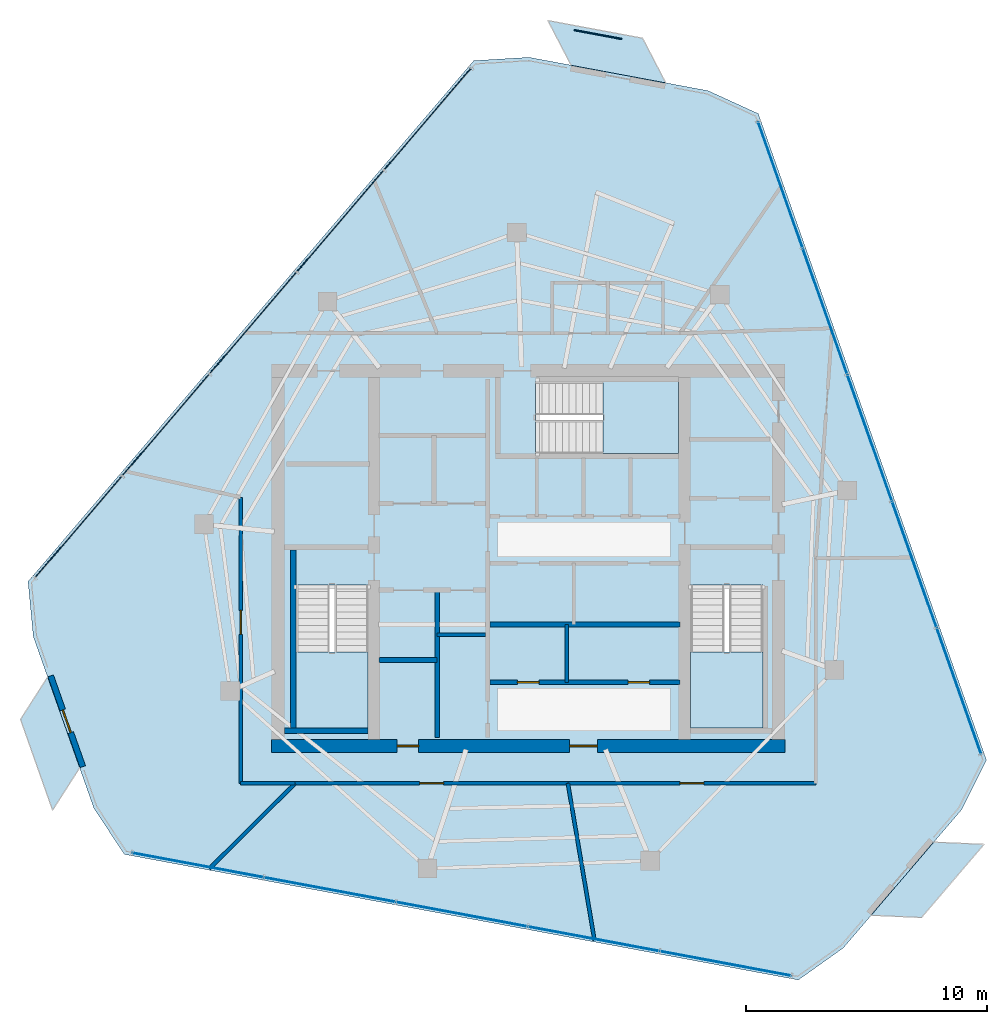
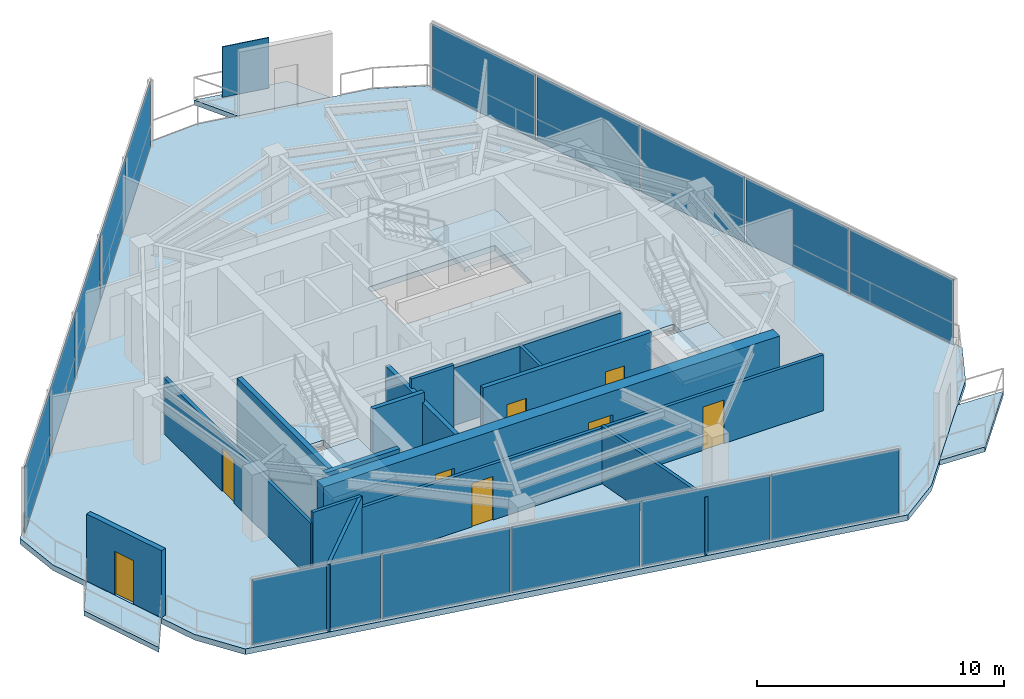
# One storey, part 14 of 18: 16 plates, 16 walls, 8 doors, 7 slabs, 8 openings, 6 elements without a shape of their own.
"""IFC4 building model written with IfcOpenShell, lengths in metres."""

from ifc_helpers import new_model, si_unit, direction, frame, frame_2d, origin, origin_2d, place, context, subcontext, project, spatial, polyline, rectangle, outline, extrude, material, layer, layer_set, type_object, element, fill, aggregate, save


model = new_model("IFC4")

# Units and contexts
model_context = context("Model", 3, precision=1e-05, world=origin(), true_north=direction((0.0, 1.0)))
body_context = subcontext(model_context, "Body", "Model", "MODEL_VIEW")
ifc_project = project(units=[si_unit("LENGTHUNIT", "METRE"), si_unit("AREAUNIT", "SQUARE_METRE"), si_unit("VOLUMEUNIT", "CUBIC_METRE"), si_unit("PLANEANGLEUNIT", "RADIAN"), si_unit("MASSUNIT", "GRAM", prefix="KILO")], contexts=[model_context])

# Site, building, storey
site_placement = place(None, origin())
site = spatial("IfcSite", under=ifc_project, at=site_placement, CompositionType="ELEMENT")
building_placement = place(site_placement, origin())
building = spatial("IfcBuilding", under=site, at=building_placement, Name="Qarnah Convention Tower", CompositionType="ELEMENT")
storey_placement = place(building_placement, frame((0.0, 0.0, 253.5)))
storey = spatial("IfcBuildingStorey", under=building, at=storey_placement, Name="L68", CompositionType="ELEMENT", Elevation=253.5)

# Curtain wall, plates
ifc_material_1 = material(Name="Tempered Low-E dark glass", Category="glass")
ifc_layer_1 = layer(ifc_material_1, 0.176025390625)
ifc_layer_set_1 = layer_set([ifc_layer_1], Name="Tempered Low-E dark glass")
curtain_wall_type = type_object("IfcCurtainWallType", Name="CWS-05", PredefinedType="NOTDEFINED", material=ifc_layer_set_1)
curtain_wall_1_placement = place(storey_placement, origin())
curtain_wall_1 = element("IfcCurtainWall", 1, at=curtain_wall_1_placement, inside=storey, type_object=curtain_wall_type, Name="L68 unitised curtain wall CW-L68-F1", PredefinedType="NOTDEFINED")
ifc_layer_2 = layer(ifc_material_1, 0.035888671875)
ifc_layer_set_2 = layer_set([ifc_layer_2], Name="Tempered Low-E dark glass")
plate_type_1 = type_object("IfcPlateType", Name="PNL-T5", PredefinedType="CURTAIN_PANEL", material=ifc_layer_set_2)
plate_1_placement = place(storey_placement, frame((18.515380859375, 27.708740234375, 0.0400390625), z_axis=(0.0, 0.0, 1.0), x_axis=(0.650247859177, 0.759722134491, 0.0)))
plate_1 = element("IfcPlate", 2, at=plate_1_placement, type_object=plate_type_1, Name="CW-L68-F1 curtain panel 1.1", PredefinedType="CURTAIN_PANEL", context=body_context, shape_type="SweptSolid", body=[
    extrude(rectangle(XDim=5.49755859375, YDim=0.035888671875, at=origin_2d()), origin(), (0.0, 0.0, 1.0), 3.239990234375),
])
plate_2_placement = place(storey_placement, frame((22.14208984375, 31.946044921875, 0.0400390625), z_axis=(0.0, 0.0, 1.0), x_axis=(0.650247859177, 0.759722134491, 0.0)))
plate_2 = element("IfcPlate", 3, at=plate_2_placement, type_object=plate_type_1, Name="CW-L68-F1 curtain panel 2.1", PredefinedType="CURTAIN_PANEL", context=body_context, shape_type="SweptSolid", body=[
    extrude(rectangle(XDim=5.49755859375, YDim=0.035888671875, at=origin_2d()), origin(), (0.0, 0.0, 1.0), 3.239990234375),
])
plate_3_placement = place(storey_placement, frame((25.76904296875, 36.18359375, 0.0400390625), z_axis=(0.0, 0.0, 1.0), x_axis=(0.650247859177, 0.759722134491, 0.0)))
plate_3 = element("IfcPlate", 4, at=plate_3_placement, type_object=plate_type_1, Name="CW-L68-F1 curtain panel 3.1", PredefinedType="CURTAIN_PANEL", context=body_context, shape_type="SweptSolid", body=[
    extrude(rectangle(XDim=5.49755859375, YDim=0.035888671875, at=origin_2d()), origin(), (0.0, 0.0, 1.0), 3.239990234375),
])
plate_4_placement = place(storey_placement, frame((29.395751953125, 40.4208984375, 0.0400390625), z_axis=(0.0, 0.0, 1.0), x_axis=(0.650247859177, 0.759722134491, 0.0)))
plate_4 = element("IfcPlate", 5, at=plate_4_placement, type_object=plate_type_1, Name="CW-L68-F1 curtain panel 4.1", PredefinedType="CURTAIN_PANEL", context=body_context, shape_type="SweptSolid", body=[
    extrude(rectangle(XDim=5.49755859375, YDim=0.035888671875, at=origin_2d()), origin(), (0.0, 0.0, 1.0), 3.239990234375),
])
plate_5_placement = place(storey_placement, frame((33.022705078125, 44.658203125, 0.0400390625), z_axis=(0.0, 0.0, 1.0), x_axis=(0.650247859177, 0.759722134491, 0.0)))
plate_5 = element("IfcPlate", 6, at=plate_5_placement, type_object=plate_type_1, Name="CW-L68-F1 curtain panel 5.1", PredefinedType="CURTAIN_PANEL", context=body_context, shape_type="SweptSolid", body=[
    extrude(rectangle(XDim=5.49755859375, YDim=0.035888671875, at=origin_2d()), origin(), (0.0, 0.0, 1.0), 3.239990234375),
])
aggregate(curtain_wall_1, [plate_1, plate_2, plate_3, plate_4, plate_5])

curtain_wall_2_placement = place(storey_placement, origin())
curtain_wall_2 = element("IfcCurtainWall", 7, at=curtain_wall_2_placement, inside=storey, type_object=curtain_wall_type, Name="L68 unitised curtain wall CW-L68-F2", PredefinedType="NOTDEFINED")
plate_6_placement = place(storey_placement, frame((45.408447265625, 9.564208984375, 0.0400390625), z_axis=(0.0, 0.0, 1.0), x_axis=(-0.983062050899, 0.183273031521, 0.0)))
plate_6 = element("IfcPlate", 8, at=plate_6_placement, type_object=plate_type_1, Name="CW-L68-F2 curtain panel 1.1", PredefinedType="CURTAIN_PANEL", context=body_context, shape_type="SweptSolid", body=[
    extrude(rectangle(XDim=5.49755859375, YDim=0.035888671875, at=origin_2d()), origin(), (0.0, 0.0, 1.0), 3.239990234375),
])
plate_7_placement = place(storey_placement, frame((39.925537109375, 10.586181640625, 0.0400390625), z_axis=(0.0, 0.0, 1.0), x_axis=(-0.983062050899, 0.183273031521, 0.0)))
plate_7 = element("IfcPlate", 9, at=plate_7_placement, type_object=plate_type_1, Name="CW-L68-F2 curtain panel 2.1", PredefinedType="CURTAIN_PANEL", context=body_context, shape_type="SweptSolid", body=[
    extrude(rectangle(XDim=5.49755859375, YDim=0.035888671875, at=origin_2d()), origin(), (0.0, 0.0, 1.0), 3.239990234375),
])
plate_8_placement = place(storey_placement, frame((34.4423828125, 11.6083984375, 0.0400390625), z_axis=(0.0, 0.0, 1.0), x_axis=(-0.983062050899, 0.183273031521, 0.0)))
plate_8 = element("IfcPlate", 10, at=plate_8_placement, type_object=plate_type_1, Name="CW-L68-F2 curtain panel 3.1", PredefinedType="CURTAIN_PANEL", context=body_context, shape_type="SweptSolid", body=[
    extrude(rectangle(XDim=5.49755859375, YDim=0.035888671875, at=origin_2d()), origin(), (0.0, 0.0, 1.0), 3.239990234375),
])
plate_9_placement = place(storey_placement, frame((28.95947265625, 12.630615234375, 0.0400390625), z_axis=(0.0, 0.0, 1.0), x_axis=(-0.983062050899, 0.183273031521, 0.0)))
plate_9 = element("IfcPlate", 11, at=plate_9_placement, type_object=plate_type_1, Name="CW-L68-F2 curtain panel 4.1", PredefinedType="CURTAIN_PANEL", context=body_context, shape_type="SweptSolid", body=[
    extrude(rectangle(XDim=5.49755859375, YDim=0.035888671875, at=origin_2d()), origin(), (0.0, 0.0, 1.0), 3.239990234375),
])
plate_10_placement = place(storey_placement, frame((23.4765625, 13.65283203125, 0.0400390625), z_axis=(0.0, 0.0, 1.0), x_axis=(-0.983062050899, 0.183273031521, 0.0)))
plate_10 = element("IfcPlate", 12, at=plate_10_placement, type_object=plate_type_1, Name="CW-L68-F2 curtain panel 5.1", PredefinedType="CURTAIN_PANEL", context=body_context, shape_type="SweptSolid", body=[
    extrude(rectangle(XDim=5.49755859375, YDim=0.035888671875, at=origin_2d()), origin(), (0.0, 0.0, 1.0), 3.239990234375),
])
aggregate(curtain_wall_2, [plate_6, plate_7, plate_8, plate_9, plate_10])

curtain_wall_3_placement = place(storey_placement, origin())
curtain_wall_3 = element("IfcCurtainWall", 13, at=curtain_wall_3_placement, inside=storey, type_object=curtain_wall_type, Name="L68 unitised curtain wall CW-L68-F3", PredefinedType="NOTDEFINED")
plate_11_placement = place(storey_placement, frame((47.676025390625, 41.92626953125, 0.0400390625), z_axis=(0.0, 0.0, 1.0), x_axis=(0.332810739324, -0.942993643558, 0.0)))
plate_11 = element("IfcPlate", 14, at=plate_11_placement, type_object=plate_type_1, Name="CW-L68-F3 curtain panel 1.1", PredefinedType="CURTAIN_PANEL", context=body_context, shape_type="SweptSolid", body=[
    extrude(rectangle(XDim=5.497314453125, YDim=0.035888671875, at=origin_2d()), origin(), (0.0, 0.0, 1.0), 3.239990234375),
])
plate_12_placement = place(storey_placement, frame((49.5322265625, 36.6669921875, 0.0400390625), z_axis=(0.0, 0.0, 1.0), x_axis=(0.332810739324, -0.942993643558, 0.0)))
plate_12 = element("IfcPlate", 15, at=plate_12_placement, type_object=plate_type_1, Name="CW-L68-F3 curtain panel 2.1", PredefinedType="CURTAIN_PANEL", context=body_context, shape_type="SweptSolid", body=[
    extrude(rectangle(XDim=5.497314453125, YDim=0.035888671875, at=origin_2d()), origin(), (0.0, 0.0, 1.0), 3.239990234375),
])
plate_13_placement = place(storey_placement, frame((51.388427734375, 31.407470703125, 0.0400390625), z_axis=(0.0, 0.0, 1.0), x_axis=(0.332810739324, -0.942993643558, 0.0)))
plate_13 = element("IfcPlate", 16, at=plate_13_placement, type_object=plate_type_1, Name="CW-L68-F3 curtain panel 3.1", PredefinedType="CURTAIN_PANEL", context=body_context, shape_type="SweptSolid", body=[
    extrude(rectangle(XDim=5.497314453125, YDim=0.035888671875, at=origin_2d()), origin(), (0.0, 0.0, 1.0), 3.239990234375),
])
plate_14_placement = place(storey_placement, frame((53.24462890625, 26.148193359375, 0.0400390625), z_axis=(0.0, 0.0, 1.0), x_axis=(0.332810739324, -0.942993643558, 0.0)))
plate_14 = element("IfcPlate", 17, at=plate_14_placement, type_object=plate_type_1, Name="CW-L68-F3 curtain panel 4.1", PredefinedType="CURTAIN_PANEL", context=body_context, shape_type="SweptSolid", body=[
    extrude(rectangle(XDim=5.497314453125, YDim=0.035888671875, at=origin_2d()), origin(), (0.0, 0.0, 1.0), 3.239990234375),
])
plate_15_placement = place(storey_placement, frame((55.100830078125, 20.888671875, 0.0400390625), z_axis=(0.0, 0.0, 1.0), x_axis=(0.332810739324, -0.942993643558, 0.0)))
plate_15 = element("IfcPlate", 18, at=plate_15_placement, type_object=plate_type_1, Name="CW-L68-F3 curtain panel 5.1", PredefinedType="CURTAIN_PANEL", context=body_context, shape_type="SweptSolid", body=[
    extrude(rectangle(XDim=5.497314453125, YDim=0.035888671875, at=origin_2d()), origin(), (0.0, 0.0, 1.0), 3.239990234375),
])
aggregate(curtain_wall_3, [plate_11, plate_12, plate_13, plate_14, plate_15])

# Plate
ifc_material_2 = material(Name="Black anodised aluminium", Category="aluminium")
ifc_layer_3 = layer(ifc_material_2, 0.044921875)
ifc_layer_set_3 = layer_set([ifc_layer_3], Name="Black anodised aluminium")
plate_type_2 = type_object("IfcPlateType", Name="SCR-BAL-18", PredefinedType="USERDEFINED", material=ifc_layer_set_3)
plate_16_placement = place(storey_placement, frame((40.096923828125, 48.16796875, 0.0), z_axis=(0.0, 0.0, 1.0), x_axis=(0.98302736881, -0.183458965906, 0.0)))
element("IfcPlate", 19, at=plate_16_placement, inside=storey, type_object=plate_type_2, Name="L68 perforated desert solar screen BAL-L68-C1", ObjectType="SCREEN", PredefinedType="USERDEFINED", context=body_context, shape_type="SweptSolid", body=[
    extrude(rectangle(XDim=2.0, YDim=0.044921875, at=origin_2d()), origin(), (0.0, 0.0, 1.0), 2.5),
])

# Slabs
ifc_material_3 = material(Name="Concrete C45/55", Category="concrete")
ifc_layer_4 = layer(ifc_material_3, 0.239990234375)
ifc_layer_set_4 = layer_set([ifc_layer_4], Name="Concrete C45/55")
slab_type_1 = type_object("IfcSlabType", Name="SLB-BAL-240", PredefinedType="USERDEFINED", material=ifc_layer_set_4)
slab_1_placement = place(storey_placement, frame((0.0, 0.0, -0.239990234375)))
element("IfcSlab", 20, at=slab_1_placement, inside=storey, type_object=slab_type_1, Name="L68 cantilevered balcony slab BAL-L68-C1", ObjectType="BALCONY", PredefinedType="USERDEFINED", context=body_context, shape_type="SweptSolid", body=[
    extrude(outline(polyline([(38.02001953125, 48.748046875), (41.952880859375, 48.013916015625), (42.916015625, 46.156982421875), (38.98388671875, 46.889892578125), (38.02001953125, 48.748046875)])), origin(), (0.0, 0.0, 1.0), 0.239990234375),
])
slab_2_placement = place(storey_placement, frame((0.0, 0.0, -0.239990234375)))
element("IfcSlab", 21, at=slab_2_placement, inside=storey, type_object=slab_type_1, Name="L68 cantilevered balcony slab BAL-L68-C2", ObjectType="BALCONY", PredefinedType="USERDEFINED", context=body_context, shape_type="SweptSolid", body=[
    extrude(outline(polyline([(17.43603515625, 15.93701171875), (16.10498046875, 19.708984375), (17.23095703125, 21.471923828125), (18.56298828125, 17.699951171875), (17.43603515625, 15.93701171875)])), origin(), (0.0, 0.0, 1.0), 0.239990234375),
])
slab_3_placement = place(storey_placement, frame((0.0, 0.0, -0.239990234375)))
element("IfcSlab", 22, at=slab_3_placement, inside=storey, type_object=slab_type_1, Name="L68 cantilevered balcony slab BAL-L68-C3", ObjectType="BALCONY", PredefinedType="USERDEFINED", context=body_context, shape_type="SweptSolid", body=[
    extrude(outline(polyline([(56.14306640625, 14.51611328125), (53.5419921875, 11.47705078125), (51.451904296875, 11.570068359375), (54.052978515625, 14.60888671875), (56.14306640625, 14.51611328125)])), origin(), (0.0, 0.0, 1.0), 0.239990234375),
])

# Stair, slab
ifc_material_4 = material(Name="Concrete C50/60", Category="concrete")
stair_type = type_object("IfcStairType", Name="STR-OFF", PredefinedType="HALF_TURN_STAIR", material=ifc_material_4)
stair_1_placement = place(storey_placement, origin())
stair_1 = element("IfcStair", 23, at=stair_1_placement, inside=storey, type_object=stair_type, Name="L68 Core exit stair ST-1", PredefinedType="HALF_TURN_STAIR")
ifc_layer_5 = layer(ifc_material_4, 0.199951171875)
ifc_layer_set_5 = layer_set([ifc_layer_5], Name="Concrete C50/60")
slab_type_2 = type_object("IfcSlabType", Name="SLB-LANDING-200", PredefinedType="LANDING", material=ifc_layer_set_5)
slab_4_placement = place(storey_placement, frame((0.0, 0.0, 1.60009765625)))
slab_4 = element("IfcSlab", 24, at=slab_4_placement, type_object=slab_type_2, Name="ST-1 landing 1", PredefinedType="LANDING", context=body_context, shape_type="SweptSolid", body=[
    extrude(outline(polyline([(27.550048828125, 22.5), (27.550048828125, 19.35009765625), (30.550048828125, 19.35009765625), (30.550048828125, 22.5), (27.550048828125, 22.5)])), origin(), (0.0, 0.0, 1.0), 0.199951171875),
])
aggregate(stair_1, [slab_4])

stair_2_placement = place(storey_placement, origin())
stair_2 = element("IfcStair", 25, at=stair_2_placement, inside=storey, type_object=stair_type, Name="L68 Core exit stair ST-2", PredefinedType="HALF_TURN_STAIR")
slab_5_placement = place(storey_placement, frame((0.0, 0.0, 1.60009765625)))
slab_5 = element("IfcSlab", 26, at=slab_5_placement, type_object=slab_type_2, Name="ST-2 landing 1", PredefinedType="LANDING", context=body_context, shape_type="SweptSolid", body=[
    extrude(outline(polyline([(43.949951171875, 22.5), (43.949951171875, 19.35009765625), (46.949951171875, 19.35009765625), (46.949951171875, 22.5), (43.949951171875, 22.5)])), origin(), (0.0, 0.0, 1.0), 0.199951171875),
])
aggregate(stair_2, [slab_5])

stair_3_placement = place(storey_placement, origin())
stair_3 = element("IfcStair", 27, at=stair_3_placement, inside=storey, type_object=stair_type, Name="L68 Core exit stair ST-3", PredefinedType="HALF_TURN_STAIR")
slab_6_placement = place(storey_placement, frame((0.0, 0.0, 1.60009765625)))
slab_6 = element("IfcSlab", 28, at=slab_6_placement, type_object=slab_type_2, Name="ST-3 landing 1", PredefinedType="LANDING", context=body_context, shape_type="SweptSolid", body=[
    extrude(outline(polyline([(40.300048828125, 30.75), (43.449951171875, 30.75), (43.449951171875, 33.75), (40.300048828125, 33.75), (40.300048828125, 30.75)])), origin(), (0.0, 0.0, 1.0), 0.199951171875),
])
aggregate(stair_3, [slab_6])

# Slab
ifc_layer_6 = layer(ifc_material_3, 0.280029296875)
ifc_layer_set_6 = layer_set([ifc_layer_6], Name="Concrete C45/55")
slab_type_3 = type_object("IfcSlabType", Name="SLB-TWR-280", PredefinedType="FLOOR", material=ifc_layer_set_6)
slab_7_placement = place(storey_placement, frame((0.0, 0.0, -0.280029296875)))
element("IfcSlab", 29, at=slab_7_placement, inside=storey, type_object=slab_type_3, Name="L68 structural floor slab", PredefinedType="FLOOR", context=body_context, shape_type="SweptSolid", body=[
    extrude(outline(polyline([(34.93994140625, 47.0830078125), (16.416015625, 25.43994140625), (16.634033203125, 23.153076171875), (19.152099609375, 16.01806640625), (20.41796875, 14.10107421875), (48.423095703125, 8.8798828125), (50.294921875, 10.2119140625), (55.215087890625, 15.9609375), (56.241943359375, 18.01611328125), (46.760986328125, 44.87890625), (44.672119140625, 45.833984375), (37.23291015625, 47.220947265625), (34.93994140625, 47.0830078125)]), holes=[polyline([(27.550048828125, 25.300048828125), (27.550048828125, 19.35009765625), (30.550048828125, 19.35009765625), (30.550048828125, 25.300048828125), (27.550048828125, 25.300048828125)]), polyline([(43.949951171875, 25.300048828125), (43.949951171875, 19.35009765625), (46.949951171875, 19.35009765625), (46.949951171875, 25.300048828125), (43.949951171875, 25.300048828125)]), polyline([(37.5, 30.75), (43.449951171875, 30.75), (43.449951171875, 33.75), (37.5, 33.75), (37.5, 30.75)])]), origin(), (0.0, 0.0, 1.0), 0.280029296875),
])

# Wall, openings, doors
ifc_material_5 = material(Name="Concrete C60/75", Category="concrete")
ifc_layer_7 = layer(ifc_material_5, 0.550048828125)
ifc_layer_set_7 = layer_set([ifc_layer_7], Name="Concrete C60/75")
wall_type_1 = type_object("IfcWallType", Name="WL-CORE-550", PredefinedType="SHEAR", material=ifc_layer_set_7)
wall_1_placement = place(storey_placement, frame((26.52490234375, 18.60009765625, 0.0), z_axis=(0.0, 0.0, 1.0), x_axis=(1.0, 0.0, 0.0)))
wall_1 = element("IfcWall", 30, at=wall_1_placement, inside=storey, type_object=wall_type_1, Name="L68 core south shear wall", PredefinedType="SHEAR", context=body_context, shape_type="SweptSolid", body=[
    extrude(rectangle(XDim=21.35009765625, YDim=0.550048828125, at=frame_2d((10.675048828125, 0.0))), origin(), (0.0, 0.0, 1.0), 3.320068359375),
])
opening_1_placement = place(wall_1_placement, frame((12.39990234375, 0.0, 0.0)))
opening_1 = element("IfcOpeningElement", 31, at=opening_1_placement, cuts=wall_1, Name="Opening D-6807", PredefinedType="OPENING", context=body_context, shape_type="SweptSolid", body=[
    extrude(rectangle(XDim=1.14990234375, YDim=2.14990234375, at=frame_2d((0.574951171875, 1.074951171875))), frame((0.0, 0.284912109375, 0.0), z_axis=(0.0, -1.0, 0.0), x_axis=(1.0, 0.0, 0.0)), (0.0, 0.0, 1.0), 0.570068359375),
])
opening_2_placement = place(wall_1_placement, frame((5.22509765625, 0.0, 0.0)))
opening_2 = element("IfcOpeningElement", 32, at=opening_2_placement, cuts=wall_1, Name="Opening D-6813", PredefinedType="OPENING", context=body_context, shape_type="SweptSolid", body=[
    extrude(rectangle(XDim=0.89990234375, YDim=2.10009765625, at=frame_2d((0.449951171875, 1.050048828125))), frame((0.0, 0.284912109375, 0.0), z_axis=(0.0, -1.0, 0.0), x_axis=(1.0, 0.0, 0.0)), (0.0, 0.0, 1.0), 0.570068359375),
])
ifc_material_6 = material(Name="Structural steel S355JR", Category="steel")
door_type_1 = type_object("IfcDoorType", Name="DT-LOBBY-1150", OperationType="NOTDEFINED", PredefinedType="DOOR", material=ifc_material_6)
door_1_placement = place(opening_1_placement, origin())
door_1 = element("IfcDoor", 33, at=door_1_placement, inside=storey, type_object=door_type_1, Name="Door D-6807", OperationType="SINGLE_SWING_RIGHT", OverallHeight=2.14990234375, OverallWidth=1.14990234375, PredefinedType="DOOR", context=body_context, shape_type="SweptSolid", body=[
    extrude(rectangle(XDim=1.14990234375, YDim=2.14990234375, at=frame_2d((0.574951171875, 1.074951171875))), frame((0.0, 0.02490234375, 0.0), z_axis=(0.0, -1.0, 0.0), x_axis=(1.0, 0.0, 0.0)), (0.0, 0.0, 1.0), 0.050048828125),
])
fill(opening_1, door_1)
door_type_2 = type_object("IfcDoorType", Name="DT-RISER-900", OperationType="NOTDEFINED", PredefinedType="DOOR", material=ifc_material_6)
door_2_placement = place(opening_2_placement, origin())
door_2 = element("IfcDoor", 34, at=door_2_placement, inside=storey, type_object=door_type_2, Name="Door D-6813", OperationType="SINGLE_SWING_RIGHT", OverallHeight=2.10009765625, OverallWidth=0.89990234375, PredefinedType="DOOR", context=body_context, shape_type="SweptSolid", body=[
    extrude(rectangle(XDim=0.89990234375, YDim=2.10009765625, at=frame_2d((0.449951171875, 1.050048828125))), frame((0.0, 0.02490234375, 0.0), z_axis=(0.0, -1.0, 0.0), x_axis=(1.0, 0.0, 0.0)), (0.0, 0.0, 1.0), 0.050048828125),
])
fill(opening_2, door_2)

# Walls
ifc_layer_8 = layer(ifc_material_3, 0.199951171875)
ifc_layer_set_8 = layer_set([ifc_layer_8], Name="Concrete C45/55")
wall_type_2 = type_object("IfcWallType", Name="WL-CORE-PART-200", PredefinedType="SOLIDWALL", material=ifc_layer_set_8)
wall_2_placement = place(storey_placement, frame((33.419921875, 18.949951171875, 0.0), z_axis=(0.0, 0.0, 1.0), x_axis=(0.0, 1.0, 0.0)))
element("IfcWall", 35, at=wall_2_placement, inside=storey, type_object=wall_type_2, Name="L68 interior wall IW-L68-SVLE", PredefinedType="SOLIDWALL", context=body_context, shape_type="SweptSolid", body=[
    extrude(rectangle(XDim=6.130126953125, YDim=0.199951171875, at=frame_2d((3.06494140625, 0.0))), origin(), (0.0, 0.0, 1.0), 2.841064453125),
])
wall_3_placement = place(storey_placement, frame((31.0, 22.179931640625, 0.0), z_axis=(0.0, 0.0, 1.0), x_axis=(1.0, 0.0, 0.0)))
element("IfcWall", 36, at=wall_3_placement, inside=storey, type_object=wall_type_2, Name="L68 interior wall IW-L68-SVLS", PredefinedType="SOLIDWALL", context=body_context, shape_type="SweptSolid", body=[
    extrude(rectangle(XDim=2.419921875, YDim=0.199951171875, at=frame_2d((1.2099609375, 0.0))), origin(), (0.0, 0.0, 1.0), 3.320068359375),
])
wall_4_placement = place(storey_placement, frame((35.6201171875, 23.64990234375, 0.0), z_axis=(0.0, 0.0, 1.0), x_axis=(1.0, 0.0, 0.0)))
element("IfcWall", 37, at=wall_4_placement, inside=storey, type_object=wall_type_2, Name="L68 interior wall IW-L68-PMPL", PredefinedType="SOLIDWALL", context=body_context, shape_type="SweptSolid", body=[
    extrude(rectangle(XDim=7.8798828125, YDim=0.199951171875, at=frame_2d((3.93994140625, 0.0))), origin(), (0.0, 0.0, 1.0), 2.841064453125),
])

# Wall, openings, doors
wall_5_placement = place(storey_placement, frame((35.6201171875, 21.25, 0.0), z_axis=(0.0, 0.0, 1.0), x_axis=(1.0, 0.0, 0.0)))
wall_5 = element("IfcWall", 38, at=wall_5_placement, inside=storey, type_object=wall_type_2, Name="L68 interior wall IW-L68-PLS", PredefinedType="SOLIDWALL", context=body_context, shape_type="SweptSolid", body=[
    extrude(rectangle(XDim=7.8798828125, YDim=0.199951171875, at=frame_2d((3.93994140625, 0.0))), origin(), (0.0, 0.0, 1.0), 3.320068359375),
])
opening_3_placement = place(wall_5_placement, frame((1.1298828125, 0.0, 0.0)))
opening_3 = element("IfcOpeningElement", 39, at=opening_3_placement, cuts=wall_5, Name="Opening D-6816", PredefinedType="OPENING", context=body_context, shape_type="SweptSolid", body=[
    extrude(rectangle(XDim=0.89990234375, YDim=2.10009765625, at=frame_2d((0.449951171875, 1.050048828125))), frame((0.0, 0.10986328125, 0.0), z_axis=(0.0, -1.0, 0.0), x_axis=(1.0, 0.0, 0.0)), (0.0, 0.0, 1.0), 0.219970703125),
])
opening_4_placement = place(wall_5_placement, frame((5.72998046875, 0.0, 0.0)))
opening_4 = element("IfcOpeningElement", 40, at=opening_4_placement, cuts=wall_5, Name="Opening D-6817", PredefinedType="OPENING", context=body_context, shape_type="SweptSolid", body=[
    extrude(rectangle(XDim=0.89990234375, YDim=2.10009765625, at=frame_2d((0.449951171875, 1.050048828125))), frame((0.0, 0.10986328125, 0.0), z_axis=(0.0, -1.0, 0.0), x_axis=(1.0, 0.0, 0.0)), (0.0, 0.0, 1.0), 0.219970703125),
])
door_3_placement = place(opening_3_placement, origin())
door_3 = element("IfcDoor", 41, at=door_3_placement, inside=storey, type_object=door_type_2, Name="Door D-6816", OperationType="SINGLE_SWING_LEFT", OverallHeight=2.10009765625, OverallWidth=0.89990234375, PredefinedType="DOOR", context=body_context, shape_type="SweptSolid", body=[
    extrude(rectangle(XDim=0.89990234375, YDim=2.10009765625, at=frame_2d((0.449951171875, 1.050048828125))), frame((0.0, 0.02490234375, 0.0), z_axis=(0.0, -1.0, 0.0), x_axis=(1.0, 0.0, 0.0)), (0.0, 0.0, 1.0), 0.050048828125),
])
fill(opening_3, door_3)
door_4_placement = place(opening_4_placement, origin())
door_4 = element("IfcDoor", 42, at=door_4_placement, inside=storey, type_object=door_type_2, Name="Door D-6817", OperationType="SINGLE_SWING_RIGHT", OverallHeight=2.10009765625, OverallWidth=0.89990234375, PredefinedType="DOOR", context=body_context, shape_type="SweptSolid", body=[
    extrude(rectangle(XDim=0.89990234375, YDim=2.10009765625, at=frame_2d((0.449951171875, 1.050048828125))), frame((0.0, 0.02490234375, 0.0), z_axis=(0.0, -1.0, 0.0), x_axis=(1.0, 0.0, 0.0)), (0.0, 0.0, 1.0), 0.050048828125),
])
fill(opening_4, door_4)

# Walls
ifc_layer_9 = layer(ifc_material_5, 0.219970703125)
ifc_layer_set_9 = layer_set([ifc_layer_9], Name="Concrete C60/75")
wall_type_3 = type_object("IfcWallType", Name="WL-CORE-STAIR-220", PredefinedType="SHEAR", material=ifc_layer_set_9)
wall_6_placement = place(storey_placement, frame((27.43994140625, 19.35009765625, 0.0), z_axis=(0.0, 0.0, 1.0), x_axis=(0.0, 1.0, 0.0)))
element("IfcWall", 43, at=wall_6_placement, inside=storey, type_object=wall_type_3, Name="L68 stair shaft shear wall SW-L68-ST1W", PredefinedType="SHEAR", context=body_context, shape_type="SweptSolid", body=[
    extrude(rectangle(XDim=7.39990234375, YDim=0.219970703125, at=frame_2d((3.699951171875, 0.0))), origin(), (0.0, 0.0, 1.0), 3.320068359375),
])
wall_7_placement = place(storey_placement, frame((27.074951171875, 19.239990234375, 0.0), z_axis=(0.0, 0.0, 1.0), x_axis=(1.0, 0.0, 0.0)))
element("IfcWall", 44, at=wall_7_placement, inside=storey, type_object=wall_type_3, Name="L68 stair shaft shear wall SW-L68-ST1S", PredefinedType="SHEAR", context=body_context, shape_type="SweptSolid", body=[
    extrude(rectangle(XDim=3.47509765625, YDim=0.219970703125, at=frame_2d((1.737548828125, 0.0))), origin(), (0.0, 0.0, 1.0), 3.320068359375),
])

# Wall, opening, door
ifc_material_7 = material(Name="Precast concrete C45/55", Category="concrete")
ifc_layer_10 = layer(ifc_material_7, 0.239990234375)
ifc_layer_set_10 = layer_set([ifc_layer_10], Name="Precast concrete C45/55")
wall_type_4 = type_object("IfcWallType", Name="WL-EXT-BAL-240", PredefinedType="SOLIDWALL", material=ifc_layer_set_10)
wall_8_placement = place(storey_placement, frame((18.69091796875, 17.74609375, 0.0), z_axis=(0.0, 0.0, 1.0), x_axis=(-0.332986117387, 0.942931729038, 0.0)))
wall_8 = element("IfcWall", 45, at=wall_8_placement, inside=storey, type_object=wall_type_4, Name="L68 loggia threshold wall BAL-L68-C2", PredefinedType="SOLIDWALL", context=body_context, shape_type="SweptSolid", body=[
    extrude(rectangle(XDim=4.000244140625, YDim=0.239990234375, at=frame_2d((2.0, 0.0))), origin(), (0.0, 0.0, 1.0), 3.320068359375),
])
opening_5_placement = place(wall_8_placement, frame((1.5, 0.0, 0.0)))
opening_5 = element("IfcOpeningElement", 46, at=opening_5_placement, cuts=wall_8, Name="Opening BD-6802", PredefinedType="OPENING", context=body_context, shape_type="SweptSolid", body=[
    extrude(rectangle(XDim=1.0, YDim=2.14990234375, at=frame_2d((0.5, 1.074951171875))), frame((0.0, 0.1298828125, 0.0), z_axis=(0.0, -1.0, 0.0), x_axis=(1.0, 0.0, 0.0)), (0.0, 0.0, 1.0), 0.260009765625),
])
door_type_3 = type_object("IfcDoorType", Name="DT-BAL-1000", OperationType="NOTDEFINED", PredefinedType="DOOR", material=ifc_material_2)
door_5_placement = place(opening_5_placement, origin())
door_5 = element("IfcDoor", 47, at=door_5_placement, inside=storey, type_object=door_type_3, Name="L68 balcony terrace door BAL-L68-C2", OperationType="SINGLE_SWING_RIGHT", OverallHeight=2.14990234375, OverallWidth=1.0, PredefinedType="DOOR", context=body_context, shape_type="SweptSolid", body=[
    extrude(rectangle(XDim=1.0, YDim=2.14990234375, at=frame_2d((0.5, 1.074951171875))), frame((0.0, 0.02490234375, 0.0), z_axis=(0.0, -1.0, 0.0), x_axis=(1.0, 0.0, 0.0)), (0.0, 0.0, 1.0), 0.050048828125),
])
fill(opening_5, door_5)

# Walls
ifc_material_8 = material(Name="Gypsum partition board")
ifc_layer_11 = layer(ifc_material_8, 0.14990234375)
ifc_layer_set_11 = layer_set([ifc_layer_11], Name="Gypsum partition board")
wall_type_5 = type_object("IfcWallType", Name="WL-SUITE-150", PredefinedType="PARTITIONING", material=ifc_layer_set_11)
wall_9_placement = place(storey_placement, frame((33.419921875, 23.219970703125, 0.0), z_axis=(0.0, 0.0, 1.0), x_axis=(1.0, 0.0, 0.0)))
element("IfcWall", 48, at=wall_9_placement, inside=storey, type_object=wall_type_5, Name="L68 interior wall IW-L68-CSV1", PredefinedType="PARTITIONING", context=body_context, shape_type="SweptSolid", body=[
    extrude(rectangle(XDim=2.0, YDim=0.14990234375, at=frame_2d((1.0, 0.0))), origin(), (0.0, 0.0, 1.0), 3.320068359375),
])
wall_10_placement = place(storey_placement, frame((38.800048828125, 21.25, 0.0), z_axis=(0.0, 0.0, 1.0), x_axis=(0.0, 1.0, 0.0)))
element("IfcWall", 49, at=wall_10_placement, inside=storey, type_object=wall_type_5, Name="L68 interior wall IW-L68-PLFD", PredefinedType="PARTITIONING", context=body_context, shape_type="SweptSolid", body=[
    extrude(rectangle(XDim=2.39990234375, YDim=0.14990234375, at=frame_2d((1.199951171875, 0.0))), origin(), (0.0, 0.0, 1.0), 2.841064453125),
])
wall_11_placement = place(storey_placement, frame((23.949951171875, 13.509033203125, 0.0), z_axis=(0.0, 0.0, 1.0), x_axis=(0.70979707572, 0.704406211854, 0.0)))
element("IfcWall", 50, at=wall_11_placement, inside=storey, type_object=wall_type_5, Name="L68 interior wall IW-L68-R-16", PredefinedType="PARTITIONING", context=body_context, shape_type="SweptSolid", body=[
    extrude(rectangle(XDim=5.02685546875, YDim=0.14990234375, at=frame_2d((2.513427734375, 0.0))), origin(), (0.0, 0.0, 1.0), 3.320068359375),
])
wall_12_placement = place(storey_placement, frame((27.51806640625, 17.050048828125, 0.0), z_axis=(0.0, 0.0, 1.0), x_axis=(-1.0, 0.0, 0.0)))
element("IfcWall", 51, at=wall_12_placement, inside=storey, type_object=wall_type_5, Name="L68 interior wall IW-L68-R-17", PredefinedType="PARTITIONING", context=body_context, shape_type="SweptSolid", body=[
    extrude(rectangle(XDim=2.26806640625, YDim=0.14990234375, at=frame_2d((1.134033203125, 0.0))), origin(), (0.0, 0.0, 1.0), 3.320068359375),
])

# Wall, opening, door
wall_13_placement = place(storey_placement, frame((25.25, 17.050048828125, 0.0), z_axis=(0.0, 0.0, 1.0), x_axis=(0.0, 1.0, 0.0)))
wall_13 = element("IfcWall", 52, at=wall_13_placement, inside=storey, type_object=wall_type_5, Name="L68 interior wall IW-L68-R-18", PredefinedType="PARTITIONING", context=body_context, shape_type="SweptSolid", body=[
    extrude(rectangle(XDim=11.889892578125, YDim=0.14990234375, at=frame_2d((5.94482421875, 0.0))), origin(), (0.0, 0.0, 1.0), 2.764892578125),
])
opening_6_placement = place(wall_13_placement, frame((6.18896484375, 0.0, 0.0)))
opening_6 = element("IfcOpeningElement", 53, at=opening_6_placement, cuts=wall_13, Name="Opening D-6825", PredefinedType="OPENING", context=body_context, shape_type="SweptSolid", body=[
    extrude(rectangle(XDim=1.0, YDim=2.14990234375, at=frame_2d((0.5, 1.074951171875))), frame((0.0, 0.0849609375, 0.0), z_axis=(0.0, -1.0, 0.0), x_axis=(1.0, 0.0, 0.0)), (0.0, 0.0, 1.0), 0.169921875),
])
ifc_material_9 = material(Name="Oak timber veneer", Category="wood")
door_type_4 = type_object("IfcDoorType", Name="DT-OFFICE-1000", OperationType="NOTDEFINED", PredefinedType="DOOR", material=ifc_material_9)
door_6_placement = place(opening_6_placement, origin())
door_6 = element("IfcDoor", 54, at=door_6_placement, inside=storey, type_object=door_type_4, Name="Door D-6825", OperationType="SINGLE_SWING_RIGHT", OverallHeight=2.14990234375, OverallWidth=1.0, PredefinedType="DOOR", context=body_context, shape_type="SweptSolid", body=[
    extrude(rectangle(XDim=1.0, YDim=2.14990234375, at=frame_2d((0.5, 1.074951171875))), frame((0.0, 0.02490234375, 0.0), z_axis=(0.0, -1.0, 0.0), x_axis=(1.0, 0.0, 0.0)), (0.0, 0.0, 1.0), 0.050048828125),
])
fill(opening_6, door_6)

# Wall
wall_14_placement = place(storey_placement, frame((39.955078125, 10.534912109375, 0.0), z_axis=(0.0, 0.0, 1.0), x_axis=(-0.167357787221, 0.985896227326, 0.0)))
element("IfcWall", 55, at=wall_14_placement, inside=storey, type_object=wall_type_5, Name="L68 interior wall IW-L68-R-20", PredefinedType="PARTITIONING", context=body_context, shape_type="SweptSolid", body=[
    extrude(rectangle(XDim=6.6083984375, YDim=0.14990234375, at=frame_2d((3.30419921875, 0.0))), origin(), (0.0, 0.0, 1.0), 2.844970703125),
])

# Wall, opening, door
wall_15_placement = place(storey_placement, frame((38.84912109375, 17.050048828125, 0.0), z_axis=(0.0, 0.0, 1.0), x_axis=(-1.0, 0.0, 0.0)))
wall_15 = element("IfcWall", 56, at=wall_15_placement, inside=storey, type_object=wall_type_5, Name="L68 interior wall IW-L68-R-21", PredefinedType="PARTITIONING", context=body_context, shape_type="SweptSolid", body=[
    extrude(rectangle(XDim=11.3310546875, YDim=0.14990234375, at=frame_2d((5.66552734375, 0.0))), origin(), (0.0, 0.0, 1.0), 2.764892578125),
])
opening_7_placement = place(wall_15_placement, frame((5.1650390625, 0.0, 0.0)))
opening_7 = element("IfcOpeningElement", 57, at=opening_7_placement, cuts=wall_15, Name="Opening D-6826", PredefinedType="OPENING", context=body_context, shape_type="SweptSolid", body=[
    extrude(rectangle(XDim=1.0, YDim=2.14990234375, at=frame_2d((0.5, 1.074951171875))), frame((0.0, 0.0849609375, 0.0), z_axis=(0.0, -1.0, 0.0), x_axis=(1.0, 0.0, 0.0)), (0.0, 0.0, 1.0), 0.169921875),
])
door_7_placement = place(opening_7_placement, origin())
door_7 = element("IfcDoor", 58, at=door_7_placement, inside=storey, type_object=door_type_4, Name="Door D-6826", OperationType="SINGLE_SWING_LEFT", OverallHeight=2.14990234375, OverallWidth=1.0, PredefinedType="DOOR", context=body_context, shape_type="SweptSolid", body=[
    extrude(rectangle(XDim=1.0, YDim=2.14990234375, at=frame_2d((0.5, 1.074951171875))), frame((0.0, 0.02490234375, 0.0), z_axis=(0.0, -1.0, 0.0), x_axis=(1.0, 0.0, 0.0)), (0.0, 0.0, 1.0), 0.050048828125),
])
fill(opening_7, door_7)

wall_16_placement = place(storey_placement, frame((49.14990234375, 17.050048828125, 0.0), z_axis=(0.0, 0.0, 1.0), x_axis=(-1.0, 0.0, 0.0)))
wall_16 = element("IfcWall", 59, at=wall_16_placement, inside=storey, type_object=wall_type_5, Name="L68 interior wall IW-L68-R-23", PredefinedType="PARTITIONING", context=body_context, shape_type="SweptSolid", body=[
    extrude(rectangle(XDim=10.30078125, YDim=0.14990234375, at=frame_2d((5.150390625, 0.0))), origin(), (0.0, 0.0, 1.0), 2.764892578125),
])
opening_8_placement = place(wall_16_placement, frame((4.65087890625, 0.0, 0.0)))
opening_8 = element("IfcOpeningElement", 60, at=opening_8_placement, cuts=wall_16, Name="Opening D-6827", PredefinedType="OPENING", context=body_context, shape_type="SweptSolid", body=[
    extrude(rectangle(XDim=1.0, YDim=2.14990234375, at=frame_2d((0.5, 1.074951171875))), frame((0.0, 0.0849609375, 0.0), z_axis=(0.0, -1.0, 0.0), x_axis=(1.0, 0.0, 0.0)), (0.0, 0.0, 1.0), 0.169921875),
])
door_8_placement = place(opening_8_placement, origin())
door_8 = element("IfcDoor", 61, at=door_8_placement, inside=storey, type_object=door_type_4, Name="Door D-6827", OperationType="SINGLE_SWING_RIGHT", OverallHeight=2.14990234375, OverallWidth=1.0, PredefinedType="DOOR", context=body_context, shape_type="SweptSolid", body=[
    extrude(rectangle(XDim=1.0, YDim=2.14990234375, at=frame_2d((0.5, 1.074951171875))), frame((0.0, 0.02490234375, 0.0), z_axis=(0.0, -1.0, 0.0), x_axis=(1.0, 0.0, 0.0)), (0.0, 0.0, 1.0), 0.050048828125),
])
fill(opening_8, door_8)

save(model, "model.ifc")
